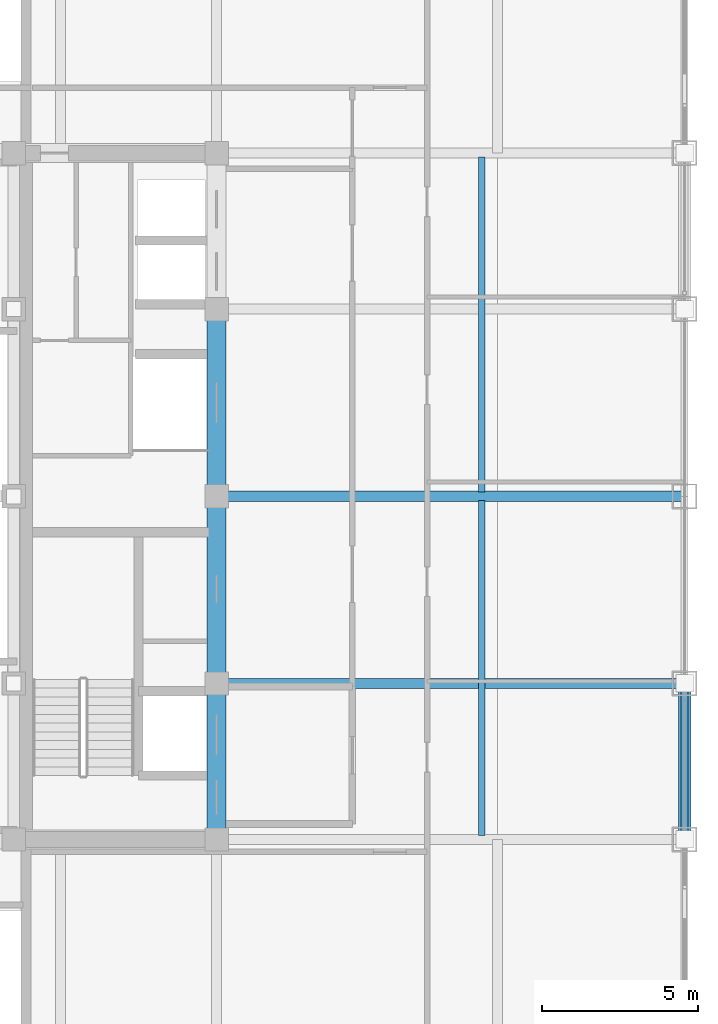
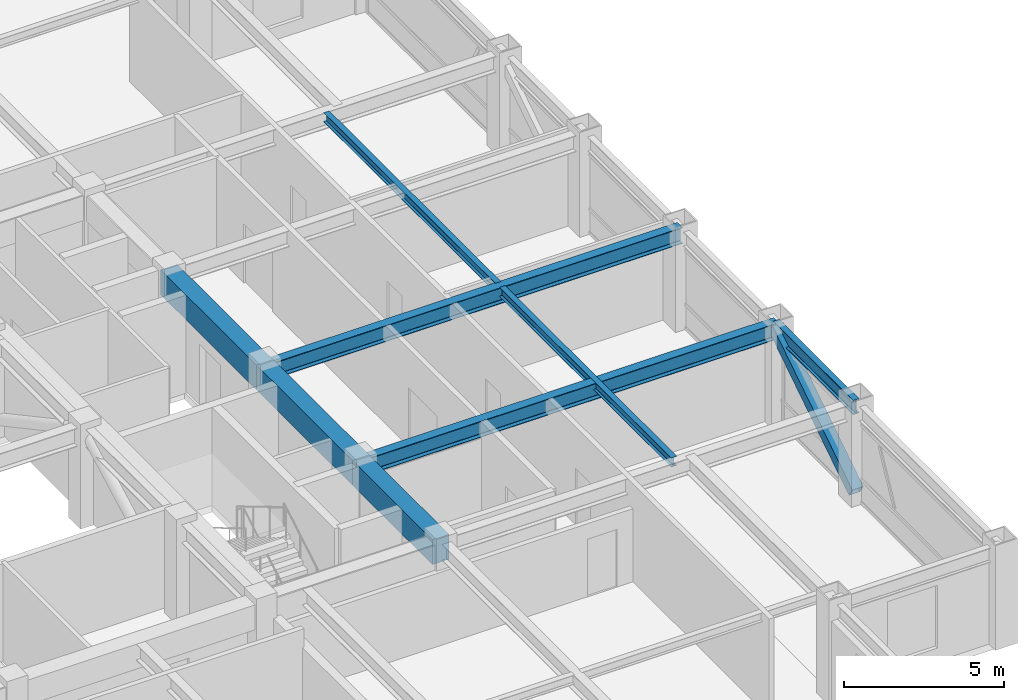
# One storey, part 13 of 29: 8 beams, 1 member.
"""IFC4 building model written with IfcOpenShell, lengths in metres."""

from ifc_helpers import new_model, si_unit, direction, frame, origin, origin_2d, place, context, subcontext, project, spatial, rectangle, hollow_rectangle, i_section, extrude, source, transform, mapped, material, material_profile, profile_set, type_object, element, save


model = new_model("IFC4")

# Units and contexts
model_context = context("Model", 3, precision=1e-05, world=origin(), true_north=direction((0.0, 1.0)))
body_context = subcontext(model_context, "Body", "Model", "MODEL_VIEW")
ifc_project = project(units=[si_unit("LENGTHUNIT", "METRE"), si_unit("AREAUNIT", "SQUARE_METRE"), si_unit("VOLUMEUNIT", "CUBIC_METRE"), si_unit("PLANEANGLEUNIT", "RADIAN"), si_unit("MASSUNIT", "GRAM", prefix="KILO")], contexts=[model_context])

# Site, building, storey
site_placement = place(None, origin())
site = spatial("IfcSite", under=ifc_project, at=site_placement, CompositionType="ELEMENT")
building_placement = place(site_placement, origin())
building = spatial("IfcBuilding", under=site, at=building_placement, Name="Khorayat Bourse Tower", CompositionType="ELEMENT")
storey_placement = place(building_placement, frame((0.0, 0.0, 354.300048828125)))
storey = spatial("IfcBuildingStorey", under=building, at=storey_placement, Name="L84", CompositionType="ELEMENT", Elevation=354.300048828125)

# Beams
ifc_material_1 = material(Name="Concrete C60/75", Category="concrete")
ifc_material_profile_1 = material_profile(ifc_material_1, rectangle(XDim=0.60009765625, YDim=0.949951171875, at=origin_2d()), Name="RC 600x950")
ifc_profile_set_1 = profile_set([ifc_material_profile_1], Name="Concrete C60/75")
beam_type_1 = type_object("IfcBeamType", Name="BM-COUP-950", PredefinedType="BEAM", material=ifc_profile_set_1)
shared_shape_1 = source(origin(), body_context, "Body", "SweptSolid", [
    extrude(rectangle(XDim=0.60009765625, YDim=0.949951171875, at=origin_2d()), origin(), (0.0, 0.0, 1.0), 5.0),
])
beam_1_placement = place(storey_placement, frame((11.0, -11.0, 3.264892578125), z_axis=(0.0, 1.0, 0.0), x_axis=(-1.0, 0.0, 0.0)))
element("IfcBeam", 1, at=beam_1_placement, inside=storey, type_object=beam_type_1, Name="L84 BM-COUP-950 BM-L84-CRX-13", PredefinedType="BEAM", context=body_context, shape_type="MappedRepresentation", body=[
    mapped(shared_shape_1, transform((0.0, 0.0, 0.0), scale=1.0)),
])
shared_shape_2 = source(origin(), body_context, "Body", "SweptSolid", [
    extrude(rectangle(XDim=0.60009765625, YDim=0.949951171875, at=origin_2d()), origin(), (0.0, 0.0, 1.0), 6.0),
])
for number, where, z_axis, x_axis, name in (
    (2, (11.0, -6.0, 3.264892578125), (0.0, 1.0, 0.0), (-1.0, 0.0, 0.0), "L84 BM-COUP-950 BM-L84-CRX-14"),
    (3, (11.0, 0.0, 3.264892578125), (0.0, 1.0, 0.0), (-1.0, 0.0, 0.0), "L84 BM-COUP-950 BM-L84-CRX-15"),
):
    element("IfcBeam", number, at=place(storey_placement, frame(where, z_axis=z_axis, x_axis=x_axis)), inside=storey, type_object=beam_type_1, Name=name, PredefinedType="BEAM", context=body_context, shape_type="MappedRepresentation", body=[
        mapped(shared_shape_2, transform((0.0, 0.0, 0.0), scale=1.0)),
    ])
ifc_material_2 = material(Name="Steel ASTM A992 Grade 50", Category="steel")
ifc_material_profile_2 = material_profile(ifc_material_2, i_section(OverallWidth=0.202880859375, OverallDepth=0.346923828125, WebThickness=0.0078125, FlangeThickness=0.013427734375, FilletRadius=0.010009765625, at=origin_2d()), Name="W360X64")
ifc_profile_set_2 = profile_set([ifc_material_profile_2], Name="Steel ASTM A992 Grade 50")
beam_type_2 = type_object("IfcBeamType", Name="BM-JOIST-360", PredefinedType="JOIST", material=ifc_profile_set_2)
shared_shape_3 = source(origin(), body_context, "Body", "SweptSolid", [
    extrude(i_section(OverallWidth=0.202880859375, OverallDepth=0.346923828125, WebThickness=0.0078125, FlangeThickness=0.013427734375, FilletRadius=0.010009765625, at=origin_2d()), origin(), (0.0, 0.0, 1.0), 10.740234375),
])
for number, where, z_axis, x_axis, name in (
    (4, (19.5, -10.8701171875, 3.56640625), (0.0, 1.0, 0.0), (-1.0, 0.0, 0.0), "L84 BM-JOIST-360 BM-L84-JSTY-088"),
    (5, (19.5, 0.1298828125, 3.56640625), (0.0, 1.0, 0.0), (-1.0, 0.0, 0.0), "L84 BM-JOIST-360 BM-L84-JSTY-089"),
):
    element("IfcBeam", number, at=place(storey_placement, frame(where, z_axis=z_axis, x_axis=x_axis)), inside=storey, type_object=beam_type_2, Name=name, PredefinedType="JOIST", context=body_context, shape_type="MappedRepresentation", body=[
        mapped(shared_shape_3, transform((0.0, 0.0, 0.0), scale=1.0)),
    ])
ifc_material_profile_3 = material_profile(ifc_material_2, i_section(OverallWidth=0.214111328125, OverallDepth=0.549072265625, WebThickness=0.0146484375, FlangeThickness=0.023681640625, FilletRadius=0.013916015625, at=origin_2d()), Name="W530X138")
ifc_profile_set_3 = profile_set([ifc_material_profile_3], Name="Steel ASTM A992 Grade 50")
beam_type_3 = type_object("IfcBeamType", Name="BM-SPAN-530", PredefinedType="SPANDREL", material=ifc_profile_set_3)
shared_shape_4 = source(origin(), body_context, "Body", "SweptSolid", [
    extrude(i_section(OverallWidth=0.214111328125, OverallDepth=0.549072265625, WebThickness=0.0146484375, FlangeThickness=0.023681640625, FilletRadius=0.013916015625, at=origin_2d()), origin(), (0.0, 0.0, 1.0), 5.0),
])
beam_2_placement = place(storey_placement, frame((26.0, -11.0, 3.46533203125), z_axis=(0.0, 1.0, 0.0), x_axis=(-1.0, 0.0, 0.0)))
element("IfcBeam", 6, at=beam_2_placement, inside=storey, type_object=beam_type_3, Name="L84 BM-SPAN-530 BM-L84-SPN-033", PredefinedType="SPANDREL", context=body_context, shape_type="MappedRepresentation", body=[
    mapped(shared_shape_4, transform((0.0, 0.0, 0.0), scale=1.0)),
])
ifc_material_profile_4 = material_profile(ifc_material_2, i_section(OverallWidth=0.324951171875, OverallDepth=0.615966796875, WebThickness=0.013916015625, FlangeThickness=0.021484375, FilletRadius=0.01611328125, at=origin_2d()), Name="W610X174")
ifc_profile_set_4 = profile_set([ifc_material_profile_4], Name="Steel ASTM A992 Grade 50")
beam_type_4 = type_object("IfcBeamType", Name="BM-GIRD-610", PredefinedType="BEAM", material=ifc_profile_set_4)
shared_shape_5 = source(origin(), body_context, "Body", "SweptSolid", [
    extrude(i_section(OverallWidth=0.324951171875, OverallDepth=0.615966796875, WebThickness=0.013916015625, FlangeThickness=0.021484375, FilletRadius=0.01611328125, at=origin_2d()), origin(), (0.0, 0.0, 1.0), 15.0),
])
for number, where, z_axis, x_axis, name in (
    (7, (11.0, -6.0, 3.431884765625), (1.0, 0.0, 0.0), (0.0, 1.0, 0.0), "L84 BM-GIRD-610 BM-L84-RADX-068"),
    (8, (11.0, 0.0, 3.431884765625), (1.0, 0.0, 0.0), (0.0, 1.0, 0.0), "L84 BM-GIRD-610 BM-L84-RADX-070"),
):
    element("IfcBeam", number, at=place(storey_placement, frame(where, z_axis=z_axis, x_axis=x_axis)), inside=storey, type_object=beam_type_4, Name=name, PredefinedType="BEAM", context=body_context, shape_type="MappedRepresentation", body=[
        mapped(shared_shape_5, transform((0.0, 0.0, 0.0), scale=1.0)),
    ])

# Member
ifc_material_3 = material(Name="Steel EN 10025-4 S460M", Category="steel")
ifc_material_profile_5 = material_profile(ifc_material_3, hollow_rectangle(XDim=0.39990234375, YDim=0.39990234375, WallThickness=0.02197265625, at=origin_2d()), Name="HSS 400x400x22")
ifc_profile_set_5 = profile_set([ifc_material_profile_5], Name="Steel EN 10025-4 S460M")
member_type = type_object("IfcMemberType", Name="MBR-TUBE-400", PredefinedType="BRACE", material=ifc_profile_set_5)
shared_shape_6 = source(origin(), body_context, "Body", "SweptSolid", [
    extrude(hollow_rectangle(XDim=0.39990234375, YDim=0.39990234375, WallThickness=0.02197265625, at=origin_2d()), origin(), (0.0, 0.0, 1.0), 5.9580078125),
])
member_placement = place(storey_placement, frame((26.0, -11.0, 0.25), z_axis=(0.0, 0.839210474455, 0.543806748364), x_axis=(-1.0, 0.0, 0.0)))
element("IfcMember", 9, at=member_placement, inside=storey, type_object=member_type, Name="L84 Perimeter Tube Brace 07", PredefinedType="BRACE", context=body_context, shape_type="MappedRepresentation", body=[
    mapped(shared_shape_6, transform((0.0, 0.0, 0.0), scale=1.0)),
])

save(model, "model.ifc")
